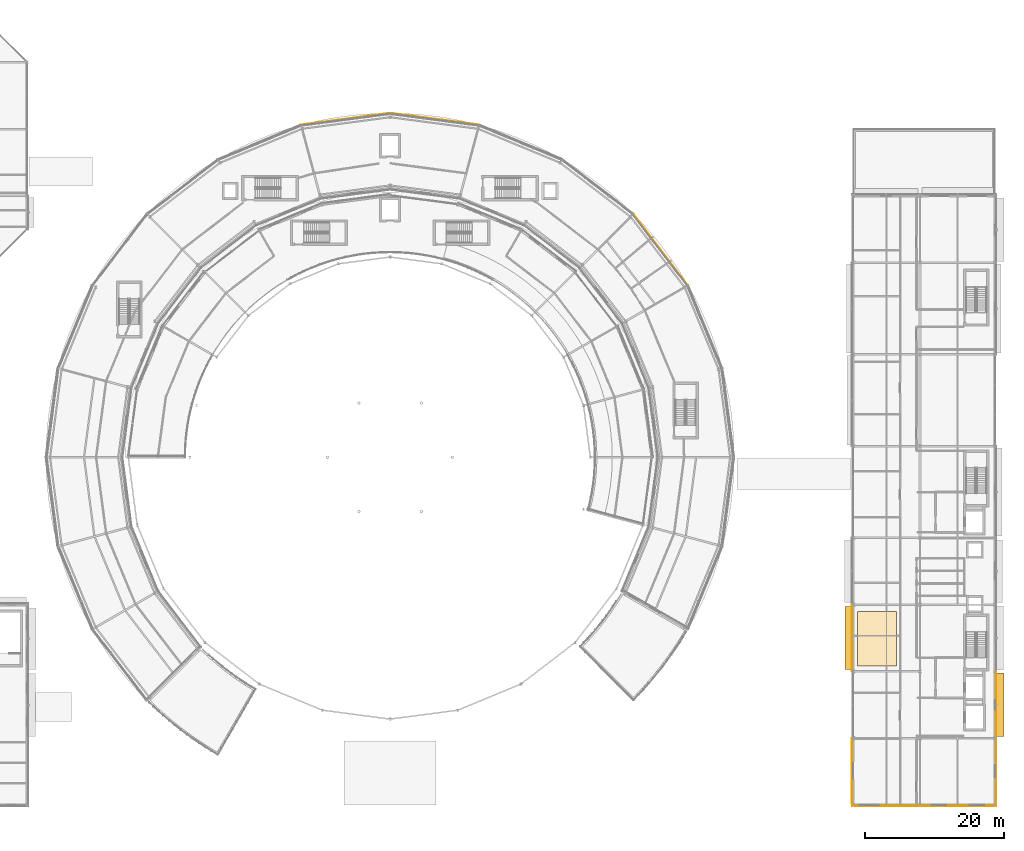
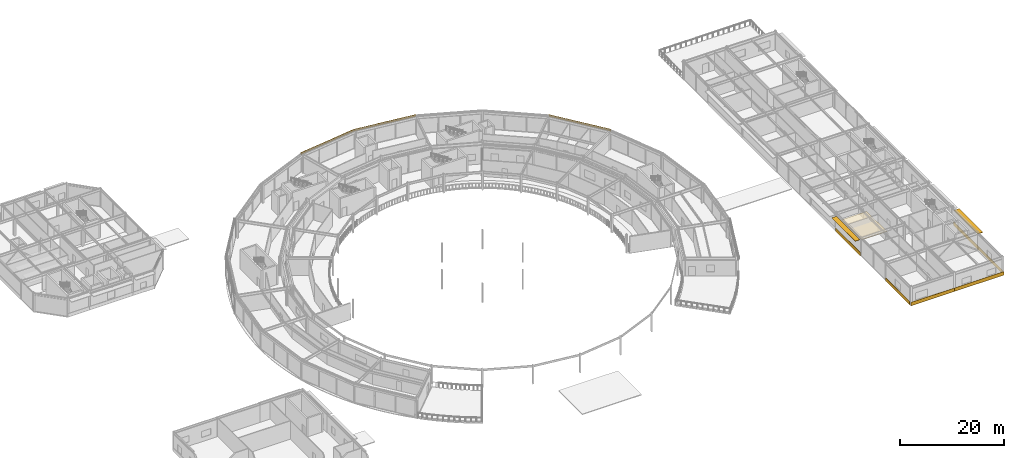
# One storey, part 129 of 133: 10 coverings, 2 shading devices.
"""IFC4 building model written with IfcOpenShell, lengths in metres."""

from ifc_helpers import new_model, si_unit, direction, frame, origin, origin_2d, place, context, subcontext, project, spatial, polyline, rectangle, outline, extrude, material, layer, layer_set, type_object, element, save


model = new_model("IFC4")

# Units and contexts
model_context = context("Model", 3, precision=1e-05, world=origin(), true_north=direction((0.0, 1.0)))
body_context = subcontext(model_context, "Body", "Model", "MODEL_VIEW")
ifc_project = project(units=[si_unit("LENGTHUNIT", "METRE"), si_unit("AREAUNIT", "SQUARE_METRE"), si_unit("VOLUMEUNIT", "CUBIC_METRE"), si_unit("PLANEANGLEUNIT", "RADIAN"), si_unit("MASSUNIT", "GRAM", prefix="KILO")], contexts=[model_context])

# Site, building, storey
site_placement = place(None, origin())
site = spatial("IfcSite", under=ifc_project, at=site_placement, CompositionType="ELEMENT")
building_placement = place(site_placement, origin())
building = spatial("IfcBuilding", under=site, at=building_placement, Name="Almandine Court Research Institute", CompositionType="ELEMENT")
storey_placement = place(building_placement, frame((0.0, 0.0, 9.800048828125)))
storey = spatial("IfcBuildingStorey", under=building, at=storey_placement, Name="L02", CompositionType="ELEMENT", Elevation=9.800048828125)

# Coverings
ifc_material_1 = material(Name="Mineral Fibre Acoustic Suspended Ceiling Tile")
ifc_layer_1 = layer(ifc_material_1, 0.02490234375)
ifc_layer_set_1 = layer_set([ifc_layer_1], Name="Mineral Fibre Acoustic Suspended Ceiling Tile")
covering_type_1 = type_object("IfcCoveringType", Name="Cov-CEIL-ACOU", PredefinedType="CEILING", material=ifc_layer_set_1)
covering_1_placement = place(storey_placement, frame((0.0, 0.0, 3.050048828125)))
element("IfcCovering", 1, at=covering_1_placement, inside=storey, type_object=covering_type_1, Name="L02 Write-Up Suite Acoustic Ceiling", PredefinedType="CEILING", context=body_context, shape_type="SweptSolid", body=[
    extrude(outline(polyline([(154.199951171875, 26.0), (159.800048828125, 26.0), (159.800048828125, 33.800048828125), (154.199951171875, 33.800048828125), (154.199951171875, 26.0)])), origin(), (0.0, 0.0, 1.0), 0.02490234375),
])
ifc_material_2 = material(Name="Extruded Cream-Ochre Seismic Terracotta Spandrel", Category="masonry")
ifc_layer_2 = layer(ifc_material_2, 0.054931640625)
ifc_layer_set_2 = layer_set([ifc_layer_2], Name="Extruded Cream-Ochre Seismic Terracotta Spandrel")
covering_type_2 = type_object("IfcCoveringType", Name="Cov-CLAD-TERR", PredefinedType="CLADDING", material=ifc_layer_set_2)
covering_2_placement = place(storey_placement, frame((153.428955078125, 10.873046875, 0.02001953125), z_axis=(0.0, 0.0, 1.0), x_axis=(0.0, 1.0, 0.0)))
element("IfcCovering", 2, at=covering_2_placement, inside=storey, type_object=covering_type_2, Name="L02 Facade Spandrel Cladding Band 137", PredefinedType="CLADDING", context=body_context, shape_type="SweptSolid", body=[
    extrude(rectangle(XDim=9.447021484375, YDim=0.054931640625, at=origin_2d()), origin(), (0.0, 0.0, 1.0), 0.800048828125),
])
for number, where, z_axis, x_axis, name in (
    (3, (153.428955078125, 30.0, 0.02001953125), (0.0, 0.0, 1.0), (0.0, 1.0, 0.0), "L02 Facade Spandrel Cladding Band 138"),
    (4, (174.1708984375, 20.39990234375, 0.02001953125), (0.0, 0.0, 1.0), (0.0, -1.0, 0.0), "L02 Facade Spandrel Cladding Band 149"),
):
    element("IfcCovering", number, at=place(storey_placement, frame(where, z_axis=z_axis, x_axis=x_axis)), inside=storey, type_object=covering_type_2, Name=name, PredefinedType="CLADDING", context=body_context, shape_type="SweptSolid", body=[
        extrude(rectangle(XDim=9.592041015625, YDim=0.054931640625, at=origin_2d()), origin(), (0.0, 0.0, 1.0), 0.800048828125),
    ])
covering_3_placement = place(storey_placement, frame((174.1708984375, 10.873046875, 0.02001953125), z_axis=(0.0, 0.0, 1.0), x_axis=(0.0, -1.0, 0.0)))
element("IfcCovering", 5, at=covering_3_placement, inside=storey, type_object=covering_type_2, Name="L02 Facade Spandrel Cladding Band 150", PredefinedType="CLADDING", context=body_context, shape_type="SweptSolid", body=[
    extrude(rectangle(XDim=9.447021484375, YDim=0.054931640625, at=origin_2d()), origin(), (0.0, 0.0, 1.0), 0.800048828125),
])
covering_4_placement = place(storey_placement, frame((168.675048828125, 5.830078125, 0.02001953125), z_axis=(0.0, 0.0, 1.0), x_axis=(-1.0, 0.0, 0.0)))
element("IfcCovering", 6, at=covering_4_placement, inside=storey, type_object=covering_type_2, Name="L02 Facade Spandrel Cladding Band 151", PredefinedType="CLADDING", context=body_context, shape_type="SweptSolid", body=[
    extrude(rectangle(XDim=10.94091796875, YDim=0.054931640625, at=origin_2d()), origin(), (0.0, 0.0, 1.0), 0.800048828125),
])
covering_5_placement = place(storey_placement, frame((158.325927734375, 5.830078125, 0.02001953125), z_axis=(0.0, 0.0, 1.0), x_axis=(-1.0, 0.0, 0.0)))
element("IfcCovering", 7, at=covering_5_placement, inside=storey, type_object=covering_type_2, Name="L02 Facade Spandrel Cladding Band 152", PredefinedType="CLADDING", context=body_context, shape_type="SweptSolid", body=[
    extrude(rectangle(XDim=9.740966796875, YDim=0.054931640625, at=origin_2d()), origin(), (0.0, 0.0, 1.0), 0.800048828125),
])
for number, where, z_axis, x_axis, name in (
    (8, (125.919921875, 85.864990234375, 3.97998046875), (0.0, 0.0, 1.0), (0.608761429009, -0.793353340291, 0.0), "L02 Drum Stacked Terracotta Ring Band 02"),
    (9, (93.404052734375, 104.638916015625, 3.97998046875), (0.0, 0.0, 1.0), (0.991444861374, -0.13052619222, 0.0), "L02 Drum Stacked Terracotta Ring Band 05"),
    (10, (80.595947265625, 104.638916015625, 3.97998046875), (0.0, 0.0, 1.0), (0.991444861374, 0.13052619222, 0.0), "L02 Drum Stacked Terracotta Ring Band 06"),
):
    element("IfcCovering", number, at=place(storey_placement, frame(where, z_axis=z_axis, x_axis=x_axis)), inside=storey, type_object=covering_type_2, Name=name, PredefinedType="CLADDING", context=body_context, shape_type="SweptSolid", body=[
        extrude(rectangle(XDim=12.8779296875, YDim=0.054931640625, at=origin_2d()), origin(), (0.0, 0.0, 1.0), 0.419921875),
    ])

# Shading devices
ifc_material_3 = material(Name="Precast GFRC Chhajja Sunshade and Acoustic Louvre", Category="concrete")
ifc_layer_3 = layer(ifc_material_3, 0.080078125)
ifc_layer_set_3 = layer_set([ifc_layer_3], Name="Precast GFRC Chhajja Sunshade and Acoustic Louvre")
shading_device_type_1 = type_object("IfcShadingDeviceType", Name="Shd-SD-06", PredefinedType="AWNING", material=ifc_layer_set_3)
shading_device_1_placement = place(storey_placement, frame((152.93994140625, 30.0, 3.61279296875), z_axis=(0.0, 0.0, 1.0), x_axis=(0.0, 1.0, 0.0)))
element("IfcShadingDevice", 11, at=shading_device_1_placement, inside=storey, type_object=shading_device_type_1, Name="L02 Projecting Chhajja Sunshade 90", PredefinedType="AWNING", context=body_context, shape_type="SweptSolid", body=[
    extrude(rectangle(XDim=9.08203125, YDim=1.050048828125, at=origin_2d()), origin(), (0.0, 0.0, 1.0), 0.080078125),
])
ifc_layer_4 = layer(ifc_material_3, 0.080078125)
ifc_layer_set_4 = layer_set([ifc_layer_4], Name="Precast GFRC Chhajja Sunshade and Acoustic Louvre")
shading_device_type_2 = type_object("IfcShadingDeviceType", Name="Shd-SD-08", PredefinedType="AWNING", material=ifc_layer_set_4)
shading_device_2_placement = place(storey_placement, frame((174.7099609375, 20.39990234375, 3.60400390625), z_axis=(0.0, 0.0, 1.0), x_axis=(0.0, -1.0, 0.0)))
element("IfcShadingDevice", 12, at=shading_device_2_placement, inside=storey, type_object=shading_device_type_2, Name="L02 Projecting Chhajja Sunshade 101", PredefinedType="AWNING", context=body_context, shape_type="SweptSolid", body=[
    extrude(rectangle(XDim=9.162109375, YDim=1.14990234375, at=origin_2d()), origin(), (0.0, 0.0, 1.0), 0.080078125),
])

save(model, "model.ifc")
